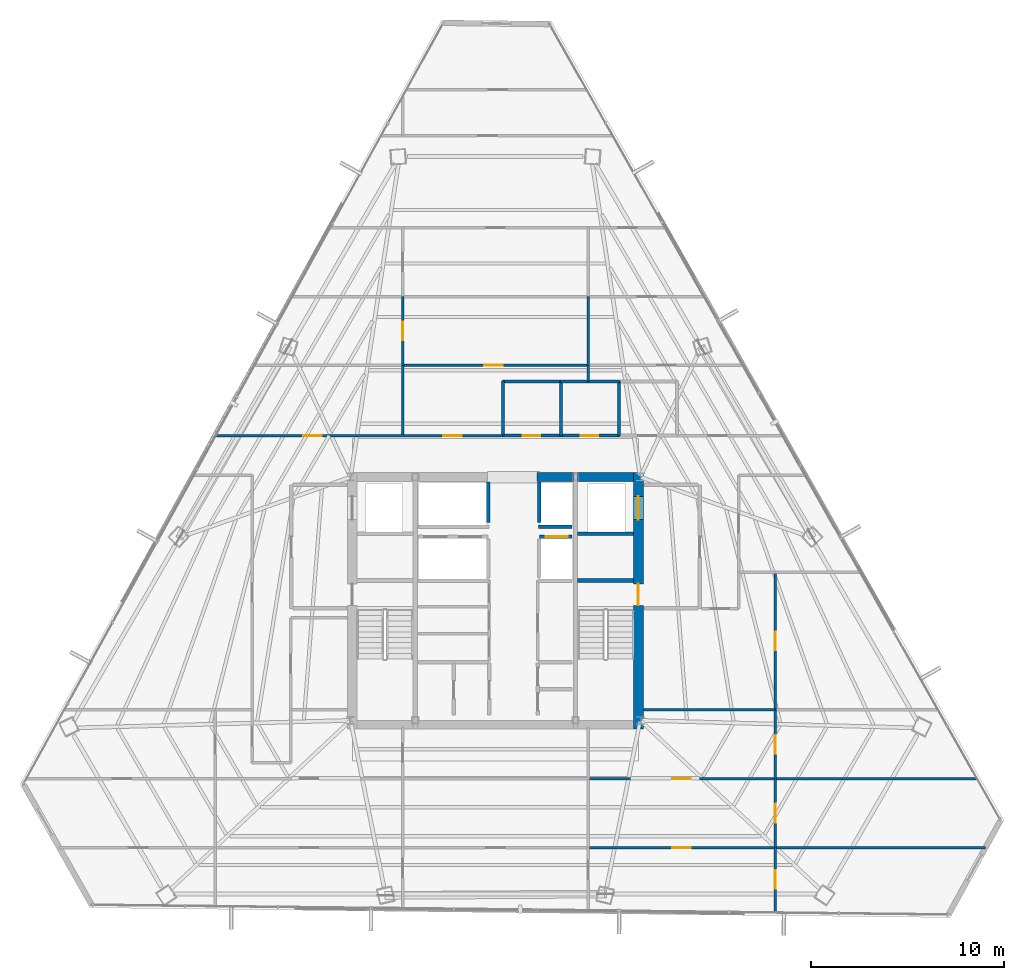
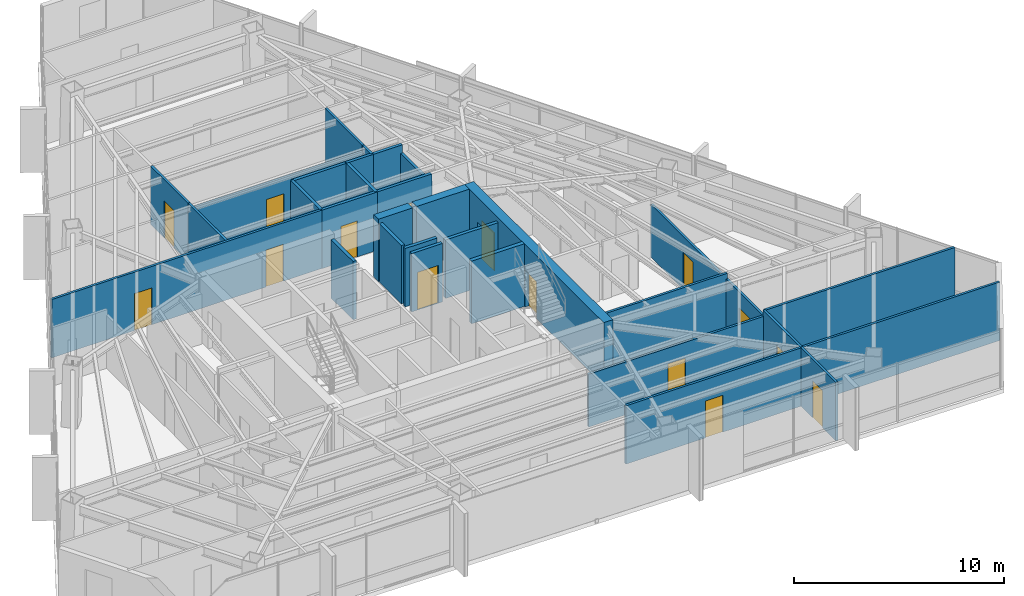
# One storey, part 37 of 42: 32 walls, 15 doors, 15 openings.
"""IFC4 building model written with IfcOpenShell, lengths in metres."""

from ifc_helpers import new_model, si_unit, direction, frame, frame_2d, origin, place, context, subcontext, project, spatial, rectangle, extrude, material, layer, layer_set, type_object, element, fill, save


model = new_model("IFC4")

# Units and contexts
model_context = context("Model", 3, precision=1e-05, world=origin(), true_north=direction((0.0, 1.0)))
body_context = subcontext(model_context, "Body", "Model", "MODEL_VIEW")
ifc_project = project(units=[si_unit("LENGTHUNIT", "METRE"), si_unit("AREAUNIT", "SQUARE_METRE"), si_unit("VOLUMEUNIT", "CUBIC_METRE"), si_unit("PLANEANGLEUNIT", "RADIAN"), si_unit("MASSUNIT", "GRAM", prefix="KILO")], contexts=[model_context])

# Site, building, storey
site_placement = place(None, origin())
site = spatial("IfcSite", under=ifc_project, at=site_placement, CompositionType="ELEMENT")
building_placement = place(site_placement, origin())
building = spatial("IfcBuilding", under=site, at=building_placement, Name="Caelisora Broadcast Tower", CompositionType="ELEMENT")
storey_placement = place(building_placement, frame((0.0, 0.0, 205.949951171875)))
storey = spatial("IfcBuildingStorey", under=building, at=storey_placement, Name="L54", CompositionType="ELEMENT", Elevation=205.949951171875)

# Wall, openings, doors
ifc_material_1 = material(Name="Concrete 50 MPa (AS 3600 S50)", Category="concrete")
ifc_layer_1 = layer(ifc_material_1, 0.5, Name="Concrete 50 MPa (AS 3600 S50)")
ifc_layer_set_1 = layer_set([ifc_layer_1], Name="Concrete 50 MPa (AS 3600 S50)")
wall_type_1 = type_object("IfcWallType", Name="CW2", PredefinedType="SHEAR", material=ifc_layer_set_1)
wall_1_placement = place(storey_placement, frame((45.409912109375, 16.949951171875, 0.0), z_axis=(0.0, 0.0, 1.0), x_axis=(0.0, 1.0, 0.0)))
wall_1 = element("IfcWall", 1, at=wall_1_placement, inside=storey, type_object=wall_type_1, Name="L54 core shear wall CW2", PredefinedType="SHEAR", context=body_context, shape_type="SweptSolid", body=[
    extrude(rectangle(XDim=13.275146484375, YDim=0.5, at=frame_2d((6.6376953125, 0.0))), origin(), (0.0, 0.0, 1.0), 3.650146484375),
])
opening_1_placement = place(wall_1_placement, frame((6.39990234375, 0.0, 0.0)))
opening_1 = element("IfcOpeningElement", 2, at=opening_1_placement, cuts=wall_1, Name="Opening FD04", PredefinedType="OPENING", context=body_context, shape_type="SweptSolid", body=[
    extrude(rectangle(XDim=1.1201171875, YDim=2.14990234375, at=frame_2d((0.56005859375, 1.074951171875))), frame((0.0, 0.261962890625, 0.0), z_axis=(0.0, -1.0, 0.0), x_axis=(1.0, 0.0, 0.0)), (0.0, 0.0, 1.0), 0.52392578125),
])
opening_2_placement = place(wall_1_placement, frame((10.85009765625, 0.0, 0.0)))
opening_2 = element("IfcOpeningElement", 3, at=opening_2_placement, cuts=wall_1, Name="Opening LD04", PredefinedType="OPENING", context=body_context, shape_type="SweptSolid", body=[
    extrude(rectangle(XDim=1.199951171875, YDim=2.199951171875, at=frame_2d((0.60009765625, 1.10009765625))), frame((0.0, 0.261962890625, 0.0), z_axis=(0.0, -1.0, 0.0), x_axis=(1.0, 0.0, 0.0)), (0.0, 0.0, 1.0), 0.52392578125),
])
ifc_material_2 = material(Name="Pressurised Fire-Isolated Stair Door", Category="steel")
door_type_1 = type_object("IfcDoorType", Name="FD04", OperationType="NOTDEFINED", PredefinedType="DOOR", material=ifc_material_2)
door_1_placement = place(opening_1_placement, origin())
door_1 = element("IfcDoor", 4, at=door_1_placement, inside=storey, type_object=door_type_1, Name="L54 door FD04 (L54-DR-ST2)", OperationType="SINGLE_SWING_RIGHT", OverallHeight=2.14990234375, OverallWidth=1.1201171875, PredefinedType="DOOR", context=body_context, shape_type="SweptSolid", body=[
    extrude(rectangle(XDim=1.1201171875, YDim=2.14990234375, at=frame_2d((0.56005859375, 1.074951171875))), frame((0.0, 0.02490234375, 0.0), z_axis=(0.0, -1.0, 0.0), x_axis=(1.0, 0.0, 0.0)), (0.0, 0.0, 1.0), 0.050048828125),
])
fill(opening_1, door_1)
ifc_material_3 = material(Name="Emergency Firefighting Lift Sliding Landing Door", Category="steel")
door_type_2 = type_object("IfcDoorType", Name="LD04", OperationType="NOTDEFINED", PredefinedType="DOOR", material=ifc_material_3)
door_2_placement = place(opening_2_placement, origin())
door_2 = element("IfcDoor", 5, at=door_2_placement, inside=storey, type_object=door_type_2, Name="L54 door LD04 (L54-LD-FFL2)", OperationType="SLIDING_TO_RIGHT", OverallHeight=2.199951171875, OverallWidth=1.199951171875, PredefinedType="DOOR", context=body_context, shape_type="SweptSolid", body=[
    extrude(rectangle(XDim=1.199951171875, YDim=2.199951171875, at=frame_2d((0.60009765625, 1.10009765625))), frame((0.0, 0.02490234375, 0.0), z_axis=(0.0, -1.0, 0.0), x_axis=(1.0, 0.0, 0.0)), (0.0, 0.0, 1.0), 0.050048828125),
])
fill(opening_2, door_2)

# Walls
ifc_layer_2 = layer(ifc_material_1, 0.449951171875, Name="Concrete 50 MPa (AS 3600 S50)")
ifc_layer_set_2 = layer_set([ifc_layer_2], Name="Concrete 50 MPa (AS 3600 S50)")
wall_type_2 = type_object("IfcWallType", Name="CW5", PredefinedType="SHEAR", material=ifc_layer_set_2)
wall_2_placement = place(storey_placement, frame((40.159912109375, 30.0, 0.0), z_axis=(0.0, 0.0, 1.0), x_axis=(1.0, 0.0, 0.0)))
element("IfcWall", 6, at=wall_2_placement, inside=storey, type_object=wall_type_2, Name="L54 core shear wall CW5", PredefinedType="SHEAR", context=body_context, shape_type="SweptSolid", body=[
    extrude(rectangle(XDim=1.880126953125, YDim=0.449951171875, at=frame_2d((0.93994140625, 0.0))), origin(), (0.0, 0.0, 1.0), 3.650146484375),
])
wall_3_placement = place(storey_placement, frame((42.260009765625, 30.0, 0.0), z_axis=(0.0, 0.0, 1.0), x_axis=(1.0, 0.0, 0.0)))
element("IfcWall", 7, at=wall_3_placement, inside=storey, type_object=wall_type_2, Name="L54 core shear wall CW5", PredefinedType="SHEAR", context=body_context, shape_type="SweptSolid", body=[
    extrude(rectangle(XDim=2.89990234375, YDim=0.449951171875, at=frame_2d((1.449951171875, 0.0))), origin(), (0.0, 0.0, 1.0), 3.650146484375),
])
ifc_layer_3 = layer(ifc_material_1, 0.219970703125, Name="Concrete 50 MPa (AS 3600 S50)")
ifc_layer_set_3 = layer_set([ifc_layer_3], Name="Concrete 50 MPa (AS 3600 S50)")
wall_type_3 = type_object("IfcWallType", Name="CW7", PredefinedType="SHEAR", material=ifc_layer_set_3)
wall_4_placement = place(storey_placement, frame((42.260009765625, 24.639892578125, 0.0), z_axis=(0.0, 0.0, 1.0), x_axis=(1.0, 0.0, 0.0)))
element("IfcWall", 8, at=wall_4_placement, inside=storey, type_object=wall_type_3, Name="L54 core shear wall CW7", PredefinedType="SHEAR", context=body_context, shape_type="SweptSolid", body=[
    extrude(rectangle(XDim=2.89990234375, YDim=0.219970703125, at=frame_2d((1.449951171875, 0.0))), origin(), (0.0, 0.0, 1.0), 3.650146484375),
])

# Wall, opening, door
ifc_material_4 = material(Name="Fire-Rated Gypsum Shaft and Compartment Wall", Category="gypsum")
ifc_layer_4 = layer(ifc_material_4, 0.179931640625, Name="Fire-Rated Gypsum Shaft and Compartment Wall")
ifc_layer_set_4 = layer_set([ifc_layer_4], Name="Fire-Rated Gypsum Shaft and Compartment Wall")
wall_type_4 = type_object("IfcWallType", Name="PW2", PredefinedType="PARTITIONING", material=ifc_layer_set_4)
wall_5_placement = place(storey_placement, frame((40.280029296875, 26.89990234375, 0.0), z_axis=(0.0, 0.0, 1.0), x_axis=(1.0, 0.0, 0.0)))
wall_5 = element("IfcWall", 9, at=wall_5_placement, inside=storey, type_object=wall_type_4, Name="L54 fire compartment wall PW2", PredefinedType="PARTITIONING", context=body_context, shape_type="SweptSolid", body=[
    extrude(rectangle(XDim=1.699951171875, YDim=0.179931640625, at=frame_2d((0.85009765625, 0.0))), origin(), (0.0, 0.0, 1.0), 3.400146484375),
])
opening_3_placement = place(wall_5_placement, frame((0.320068359375, 0.0, 0.0)))
opening_3 = element("IfcOpeningElement", 10, at=opening_3_placement, cuts=wall_5, Name="Opening LD02", PredefinedType="OPENING", context=body_context, shape_type="SweptSolid", body=[
    extrude(rectangle(XDim=1.14990234375, YDim=2.199951171875, at=frame_2d((0.574951171875, 1.10009765625))), frame((0.0, 0.10205078125, 0.0), z_axis=(0.0, -1.0, 0.0), x_axis=(1.0, 0.0, 0.0)), (0.0, 0.0, 1.0), 0.203857421875),
])
ifc_material_5 = material(Name="High-Speed Express Lift Sliding Landing Door", Category="steel")
door_type_3 = type_object("IfcDoorType", Name="LD02", OperationType="NOTDEFINED", PredefinedType="DOOR", material=ifc_material_5)
door_3_placement = place(opening_3_placement, origin())
door_3 = element("IfcDoor", 11, at=door_3_placement, inside=storey, type_object=door_type_3, Name="L54 door LD02 (L54-LD-PLM3)", OperationType="SLIDING_TO_LEFT", OverallHeight=2.199951171875, OverallWidth=1.14990234375, PredefinedType="DOOR", context=body_context, shape_type="SweptSolid", body=[
    extrude(rectangle(XDim=1.14990234375, YDim=2.199951171875, at=frame_2d((0.574951171875, 1.10009765625))), frame((0.0, 0.02490234375, 0.0), z_axis=(0.0, -1.0, 0.0), x_axis=(1.0, 0.0, 0.0)), (0.0, 0.0, 1.0), 0.050048828125),
])
fill(opening_3, door_3)

# Walls
wall_6_placement = place(storey_placement, frame((40.219970703125, 27.419921875, 0.0), z_axis=(0.0, 0.0, 1.0), x_axis=(1.0, 0.0, 0.0)))
element("IfcWall", 12, at=wall_6_placement, inside=storey, type_object=wall_type_4, Name="L54 fire compartment wall PW2", PredefinedType="PARTITIONING", context=body_context, shape_type="SweptSolid", body=[
    extrude(rectangle(XDim=1.760009765625, YDim=0.179931640625, at=frame_2d((0.8798828125, 0.0))), origin(), (0.0, 0.0, 1.0), 3.400146484375),
])
for number, where, z_axis, x_axis, name in (
    (13, (37.6201171875, 27.639892578125, 0.0), (0.0, 0.0, 1.0), (0.0, 1.0, 0.0), "L54 fire compartment wall PW2"),
    (14, (40.280029296875, 27.639892578125, 0.0), (0.0, 0.0, 1.0), (0.0, 1.0, 0.0), "L54 fire compartment wall PW2"),
):
    element("IfcWall", number, at=place(storey_placement, frame(where, z_axis=z_axis, x_axis=x_axis)), inside=storey, type_object=wall_type_4, Name=name, PredefinedType="PARTITIONING", context=body_context, shape_type="SweptSolid", body=[
        extrude(rectangle(XDim=2.110107421875, YDim=0.179931640625, at=frame_2d((1.05517578125, 0.0))), origin(), (0.0, 0.0, 1.0), 3.400146484375),
    ])
wall_7_placement = place(storey_placement, frame((42.239990234375, 27.070068359375, 0.0), z_axis=(0.0, 0.0, 1.0), x_axis=(1.0, 0.0, 0.0)))
element("IfcWall", 15, at=wall_7_placement, inside=storey, type_object=wall_type_4, Name="L54 fire compartment wall PW2", PredefinedType="PARTITIONING", context=body_context, shape_type="SweptSolid", body=[
    extrude(rectangle(XDim=2.89990234375, YDim=0.179931640625, at=frame_2d((1.449951171875, 0.0))), origin(), (0.0, 0.0, 1.0), 3.400146484375),
])

# Wall, openings, doors
ifc_material_6 = material(Name="Acoustic Steel-Stud Plasterboard Partition", Category="gypsum")
ifc_layer_5 = layer(ifc_material_6, 0.1298828125, Name="Acoustic Steel-Stud Plasterboard Partition")
ifc_layer_set_5 = layer_set([ifc_layer_5], Name="Acoustic Steel-Stud Plasterboard Partition")
wall_type_5 = type_object("IfcWallType", Name="PW3", PredefinedType="PARTITIONING", material=ifc_layer_set_5)
wall_8_placement = place(storey_placement, frame((23.51025390625, 32.14990234375, 0.0), z_axis=(0.0, 0.0, 1.0), x_axis=(1.0, 0.0, 0.0)))
wall_8 = element("IfcWall", 16, at=wall_8_placement, inside=storey, type_object=wall_type_5, Name="L54 internal partition PW3", PredefinedType="PARTITIONING", context=body_context, shape_type="SweptSolid", body=[
    extrude(rectangle(XDim=14.884765625, YDim=0.1298828125, at=frame_2d((7.4423828125, 0.0))), origin(), (0.0, 0.0, 1.0), 3.400146484375),
])
opening_4_placement = place(wall_8_placement, frame((11.7890625, 0.0, 0.0)))
opening_4 = element("IfcOpeningElement", 17, at=opening_4_placement, cuts=wall_8, Name="Opening D01", PredefinedType="OPENING", context=body_context, shape_type="SweptSolid", body=[
    extrude(rectangle(XDim=0.9599609375, YDim=2.14990234375, at=frame_2d((0.47998046875, 1.074951171875))), frame((0.0, 0.076904296875, 0.0), z_axis=(0.0, -1.0, 0.0), x_axis=(1.0, 0.0, 0.0)), (0.0, 0.0, 1.0), 0.15380859375),
])
opening_5_placement = place(wall_8_placement, frame((4.548095703125, 0.0, 0.0)))
opening_5 = element("IfcOpeningElement", 18, at=opening_5_placement, cuts=wall_8, Name="Opening D01", PredefinedType="OPENING", context=body_context, shape_type="SweptSolid", body=[
    extrude(rectangle(XDim=0.9599609375, YDim=2.14990234375, at=frame_2d((0.47998046875, 1.074951171875))), frame((0.0, 0.076904296875, 0.0), z_axis=(0.0, -1.0, 0.0), x_axis=(1.0, 0.0, 0.0)), (0.0, 0.0, 1.0), 0.15380859375),
])
ifc_material_7 = material(Name="Solid-Core Timber Acoustic Office Door", Category="wood")
door_type_4 = type_object("IfcDoorType", Name="D01", OperationType="NOTDEFINED", PredefinedType="DOOR", material=ifc_material_7)
door_4_placement = place(opening_4_placement, origin())
door_4 = element("IfcDoor", 19, at=door_4_placement, inside=storey, type_object=door_type_4, Name="L54 door D01 (L54-DR-P30D1)", OperationType="SINGLE_SWING_LEFT", OverallHeight=2.14990234375, OverallWidth=0.9599609375, PredefinedType="DOOR", context=body_context, shape_type="SweptSolid", body=[
    extrude(rectangle(XDim=0.9599609375, YDim=2.14990234375, at=frame_2d((0.47998046875, 1.074951171875))), frame((0.0, 0.02490234375, 0.0), z_axis=(0.0, -1.0, 0.0), x_axis=(1.0, 0.0, 0.0)), (0.0, 0.0, 1.0), 0.050048828125),
])
fill(opening_4, door_4)
door_5_placement = place(opening_5_placement, origin())
door_5 = element("IfcDoor", 20, at=door_5_placement, inside=storey, type_object=door_type_4, Name="L54 door D01 (L54-DR-P30D2)", OperationType="SINGLE_SWING_RIGHT", OverallHeight=2.14990234375, OverallWidth=0.9599609375, PredefinedType="DOOR", context=body_context, shape_type="SweptSolid", body=[
    extrude(rectangle(XDim=0.9599609375, YDim=2.14990234375, at=frame_2d((0.47998046875, 1.074951171875))), frame((0.0, 0.02490234375, 0.0), z_axis=(0.0, -1.0, 0.0), x_axis=(1.0, 0.0, 0.0)), (0.0, 0.0, 1.0), 0.050048828125),
])
fill(opening_5, door_5)

# Walls
wall_9_placement = place(storey_placement, frame((52.5048828125, 10.81005859375, 0.0), z_axis=(0.0, 0.0, 1.0), x_axis=(1.0, 0.0, 0.0)))
element("IfcWall", 21, at=wall_9_placement, inside=storey, type_object=wall_type_5, Name="L54 internal partition PW3", PredefinedType="PARTITIONING", context=body_context, shape_type="SweptSolid", body=[
    extrude(rectangle(XDim=10.885498046875, YDim=0.1298828125, at=frame_2d((5.44287109375, 0.0))), origin(), (0.0, 0.0, 1.0), 3.400146484375),
])
wall_10_placement = place(storey_placement, frame((52.5048828125, 14.3701171875, 0.0), z_axis=(0.0, 0.0, 1.0), x_axis=(1.0, 0.0, 0.0)))
element("IfcWall", 22, at=wall_10_placement, inside=storey, type_object=wall_type_5, Name="L54 internal partition PW3", PredefinedType="PARTITIONING", context=body_context, shape_type="SweptSolid", body=[
    extrude(rectangle(XDim=10.454345703125, YDim=0.1298828125, at=frame_2d((5.22705078125, 0.0))), origin(), (0.0, 0.0, 1.0), 3.400146484375),
])

# Wall, opening, door
wall_11_placement = place(storey_placement, frame((42.804931640625, 10.81005859375, 0.0), z_axis=(0.0, 0.0, 1.0), x_axis=(1.0, 0.0, 0.0)))
wall_11 = element("IfcWall", 23, at=wall_11_placement, inside=storey, type_object=wall_type_5, Name="L54 internal partition PW3", PredefinedType="PARTITIONING", context=body_context, shape_type="SweptSolid", body=[
    extrude(rectangle(XDim=9.690185546875, YDim=0.1298828125, at=frame_2d((4.84521484375, 0.0))), origin(), (0.0, 0.0, 1.0), 3.400146484375),
])
opening_6_placement = place(wall_11_placement, frame((4.364990234375, 0.0, 0.0)))
opening_6 = element("IfcOpeningElement", 24, at=opening_6_placement, cuts=wall_11, Name="Opening D01", PredefinedType="OPENING", context=body_context, shape_type="SweptSolid", body=[
    extrude(rectangle(XDim=0.9599609375, YDim=2.14990234375, at=frame_2d((0.47998046875, 1.074951171875))), frame((0.0, 0.076904296875, 0.0), z_axis=(0.0, -1.0, 0.0), x_axis=(1.0, 0.0, 0.0)), (0.0, 0.0, 1.0), 0.15380859375),
])
door_6_placement = place(opening_6_placement, origin())
door_6 = element("IfcDoor", 25, at=door_6_placement, inside=storey, type_object=door_type_4, Name="L54 door D01 (L54-DR-P39D1)", OperationType="SINGLE_SWING_RIGHT", OverallHeight=2.14990234375, OverallWidth=0.9599609375, PredefinedType="DOOR", context=body_context, shape_type="SweptSolid", body=[
    extrude(rectangle(XDim=0.9599609375, YDim=2.14990234375, at=frame_2d((0.47998046875, 1.074951171875))), frame((0.0, 0.02490234375, 0.0), z_axis=(0.0, -1.0, 0.0), x_axis=(1.0, 0.0, 0.0)), (0.0, 0.0, 1.0), 0.050048828125),
])
fill(opening_6, door_6)

wall_12_placement = place(storey_placement, frame((42.804931640625, 14.3701171875, 0.0), z_axis=(0.0, 0.0, 1.0), x_axis=(1.0, 0.0, 0.0)))
wall_12 = element("IfcWall", 26, at=wall_12_placement, inside=storey, type_object=wall_type_5, Name="L54 internal partition PW3", PredefinedType="PARTITIONING", context=body_context, shape_type="SweptSolid", body=[
    extrude(rectangle(XDim=9.690185546875, YDim=0.1298828125, at=frame_2d((4.84521484375, 0.0))), origin(), (0.0, 0.0, 1.0), 3.077880859375),
])
opening_7_placement = place(wall_12_placement, frame((4.364990234375, 0.0, 0.0)))
opening_7 = element("IfcOpeningElement", 27, at=opening_7_placement, cuts=wall_12, Name="Opening D01", PredefinedType="OPENING", context=body_context, shape_type="SweptSolid", body=[
    extrude(rectangle(XDim=0.9599609375, YDim=2.14990234375, at=frame_2d((0.47998046875, 1.074951171875))), frame((0.0, 0.076904296875, 0.0), z_axis=(0.0, -1.0, 0.0), x_axis=(1.0, 0.0, 0.0)), (0.0, 0.0, 1.0), 0.15380859375),
])
door_7_placement = place(opening_7_placement, origin())
door_7 = element("IfcDoor", 28, at=door_7_placement, inside=storey, type_object=door_type_4, Name="L54 door D01 (L54-DR-P40D1)", OperationType="SINGLE_SWING_LEFT", OverallHeight=2.14990234375, OverallWidth=0.9599609375, PredefinedType="DOOR", context=body_context, shape_type="SweptSolid", body=[
    extrude(rectangle(XDim=0.9599609375, YDim=2.14990234375, at=frame_2d((0.47998046875, 1.074951171875))), frame((0.0, 0.02490234375, 0.0), z_axis=(0.0, -1.0, 0.0), x_axis=(1.0, 0.0, 0.0)), (0.0, 0.0, 1.0), 0.050048828125),
])
fill(opening_7, door_7)

wall_13_placement = place(storey_placement, frame((33.205078125, 35.780029296875, 0.0), z_axis=(0.0, 0.0, 1.0), x_axis=(1.0, 0.0, 0.0)))
wall_13 = element("IfcWall", 29, at=wall_13_placement, inside=storey, type_object=wall_type_5, Name="L54 internal partition PW3", PredefinedType="PARTITIONING", context=body_context, shape_type="SweptSolid", body=[
    extrude(rectangle(XDim=9.58984375, YDim=0.1298828125, at=frame_2d((4.794921875, 0.0))), origin(), (0.0, 0.0, 1.0), 3.077880859375),
])
opening_8_placement = place(wall_13_placement, frame((4.219970703125, 0.0, 0.0)))
opening_8 = element("IfcOpeningElement", 30, at=opening_8_placement, cuts=wall_13, Name="Opening D01", PredefinedType="OPENING", context=body_context, shape_type="SweptSolid", body=[
    extrude(rectangle(XDim=0.9599609375, YDim=2.14990234375, at=frame_2d((0.47998046875, 1.074951171875))), frame((0.0, 0.076904296875, 0.0), z_axis=(0.0, -1.0, 0.0), x_axis=(1.0, 0.0, 0.0)), (0.0, 0.0, 1.0), 0.15380859375),
])
door_8_placement = place(opening_8_placement, origin())
door_8 = element("IfcDoor", 31, at=door_8_placement, inside=storey, type_object=door_type_4, Name="L54 door D01 (L54-DR-P45D1)", OperationType="SINGLE_SWING_RIGHT", OverallHeight=2.14990234375, OverallWidth=0.9599609375, PredefinedType="DOOR", context=body_context, shape_type="SweptSolid", body=[
    extrude(rectangle(XDim=0.9599609375, YDim=2.14990234375, at=frame_2d((0.47998046875, 1.074951171875))), frame((0.0, 0.02490234375, 0.0), z_axis=(0.0, -1.0, 0.0), x_axis=(1.0, 0.0, 0.0)), (0.0, 0.0, 1.0), 0.050048828125),
])
fill(opening_8, door_8)

wall_14_placement = place(storey_placement, frame((52.5, 17.945068359375, 0.0), z_axis=(0.0, 0.0, 1.0), x_axis=(0.0, 1.0, 0.0)))
wall_14 = element("IfcWall", 32, at=wall_14_placement, inside=storey, type_object=wall_type_5, Name="L54 internal partition PW3", PredefinedType="PARTITIONING", context=body_context, shape_type="SweptSolid", body=[
    extrude(rectangle(XDim=7.1298828125, YDim=0.1298828125, at=frame_2d((3.56494140625, 0.0))), origin(), (0.0, 0.0, 1.0), 3.077880859375),
])
opening_9_placement = place(wall_14_placement, frame((3.0849609375, 0.0, 0.0)))
opening_9 = element("IfcOpeningElement", 33, at=opening_9_placement, cuts=wall_14, Name="Opening D01", PredefinedType="OPENING", context=body_context, shape_type="SweptSolid", body=[
    extrude(rectangle(XDim=0.9599609375, YDim=2.14990234375, at=frame_2d((0.47998046875, 1.074951171875))), frame((0.0, 0.076904296875, 0.0), z_axis=(0.0, -1.0, 0.0), x_axis=(1.0, 0.0, 0.0)), (0.0, 0.0, 1.0), 0.15380859375),
])
door_9_placement = place(opening_9_placement, origin())
door_9 = element("IfcDoor", 34, at=door_9_placement, inside=storey, type_object=door_type_4, Name="L54 door D01 (L54-DR-P53D1)", OperationType="SINGLE_SWING_RIGHT", OverallHeight=2.14990234375, OverallWidth=0.9599609375, PredefinedType="DOOR", context=body_context, shape_type="SweptSolid", body=[
    extrude(rectangle(XDim=0.9599609375, YDim=2.14990234375, at=frame_2d((0.47998046875, 1.074951171875))), frame((0.0, 0.02490234375, 0.0), z_axis=(0.0, -1.0, 0.0), x_axis=(1.0, 0.0, 0.0)), (0.0, 0.0, 1.0), 0.050048828125),
])
fill(opening_9, door_9)

# Wall
wall_15_placement = place(storey_placement, frame((45.675048828125, 17.93994140625, 0.0), z_axis=(0.0, 0.0, 1.0), x_axis=(1.0, 0.0, 0.0)))
element("IfcWall", 35, at=wall_15_placement, inside=storey, type_object=wall_type_5, Name="L54 internal partition PW3", PredefinedType="PARTITIONING", context=body_context, shape_type="SweptSolid", body=[
    extrude(rectangle(XDim=6.820068359375, YDim=0.1298828125, at=frame_2d((3.41015625, 0.0))), origin(), (0.0, 0.0, 1.0), 3.400146484375),
])

# Wall, opening, door
wall_16_placement = place(storey_placement, frame((52.5, 14.375, 0.0), z_axis=(0.0, 0.0, 1.0), x_axis=(0.0, 1.0, 0.0)))
wall_16 = element("IfcWall", 36, at=wall_16_placement, inside=storey, type_object=wall_type_5, Name="L54 internal partition PW3", PredefinedType="PARTITIONING", context=body_context, shape_type="SweptSolid", body=[
    extrude(rectangle(XDim=3.56005859375, YDim=0.1298828125, at=frame_2d((1.780029296875, 0.0))), origin(), (0.0, 0.0, 1.0), 3.077880859375),
])
opening_10_placement = place(wall_16_placement, frame((1.300048828125, 0.0, 0.0)))
opening_10 = element("IfcOpeningElement", 37, at=opening_10_placement, cuts=wall_16, Name="Opening D01", PredefinedType="OPENING", context=body_context, shape_type="SweptSolid", body=[
    extrude(rectangle(XDim=0.9599609375, YDim=2.14990234375, at=frame_2d((0.47998046875, 1.074951171875))), frame((0.0, 0.076904296875, 0.0), z_axis=(0.0, -1.0, 0.0), x_axis=(1.0, 0.0, 0.0)), (0.0, 0.0, 1.0), 0.15380859375),
])
door_10_placement = place(opening_10_placement, origin())
door_10 = element("IfcDoor", 38, at=door_10_placement, inside=storey, type_object=door_type_4, Name="L54 door D01 (L54-DR-P64D1)", OperationType="SINGLE_SWING_LEFT", OverallHeight=2.14990234375, OverallWidth=0.9599609375, PredefinedType="DOOR", context=body_context, shape_type="SweptSolid", body=[
    extrude(rectangle(XDim=0.9599609375, YDim=2.14990234375, at=frame_2d((0.47998046875, 1.074951171875))), frame((0.0, 0.02490234375, 0.0), z_axis=(0.0, -1.0, 0.0), x_axis=(1.0, 0.0, 0.0)), (0.0, 0.0, 1.0), 0.050048828125),
])
fill(opening_10, door_10)

# Wall
wall_17_placement = place(storey_placement, frame((42.800048828125, 35.784912109375, 0.0), z_axis=(0.0, 0.0, 1.0), x_axis=(0.0, 1.0, 0.0)))
element("IfcWall", 39, at=wall_17_placement, inside=storey, type_object=wall_type_5, Name="L54 internal partition PW3", PredefinedType="PARTITIONING", context=body_context, shape_type="SweptSolid", body=[
    extrude(rectangle(XDim=3.56005859375, YDim=0.1298828125, at=frame_2d((1.780029296875, 0.0))), origin(), (0.0, 0.0, 1.0), 3.400146484375),
])

# Wall, opening, door
wall_18_placement = place(storey_placement, frame((33.199951171875, 35.784912109375, 0.0), z_axis=(0.0, 0.0, 1.0), x_axis=(0.0, 1.0, 0.0)))
wall_18 = element("IfcWall", 40, at=wall_18_placement, inside=storey, type_object=wall_type_5, Name="L54 internal partition PW3", PredefinedType="PARTITIONING", context=body_context, shape_type="SweptSolid", body=[
    extrude(rectangle(XDim=3.56005859375, YDim=0.1298828125, at=frame_2d((1.780029296875, 0.0))), origin(), (0.0, 0.0, 1.0), 3.400146484375),
])
opening_11_placement = place(wall_18_placement, frame((1.300048828125, 0.0, 0.0)))
opening_11 = element("IfcOpeningElement", 41, at=opening_11_placement, cuts=wall_18, Name="Opening D01", PredefinedType="OPENING", context=body_context, shape_type="SweptSolid", body=[
    extrude(rectangle(XDim=0.9599609375, YDim=2.14990234375, at=frame_2d((0.47998046875, 1.074951171875))), frame((0.0, 0.076904296875, 0.0), z_axis=(0.0, -1.0, 0.0), x_axis=(1.0, 0.0, 0.0)), (0.0, 0.0, 1.0), 0.15380859375),
])
door_11_placement = place(opening_11_placement, origin())
door_11 = element("IfcDoor", 42, at=door_11_placement, inside=storey, type_object=door_type_4, Name="L54 door D01 (L54-DR-P67D1)", OperationType="SINGLE_SWING_RIGHT", OverallHeight=2.14990234375, OverallWidth=0.9599609375, PredefinedType="DOOR", context=body_context, shape_type="SweptSolid", body=[
    extrude(rectangle(XDim=0.9599609375, YDim=2.14990234375, at=frame_2d((0.47998046875, 1.074951171875))), frame((0.0, 0.02490234375, 0.0), z_axis=(0.0, -1.0, 0.0), x_axis=(1.0, 0.0, 0.0)), (0.0, 0.0, 1.0), 0.050048828125),
])
fill(opening_11, door_11)

# Wall
wall_19_placement = place(storey_placement, frame((33.199951171875, 32.215087890625, 0.0), z_axis=(0.0, 0.0, 1.0), x_axis=(0.0, 1.0, 0.0)))
element("IfcWall", 43, at=wall_19_placement, inside=storey, type_object=wall_type_5, Name="L54 internal partition PW3", PredefinedType="PARTITIONING", context=body_context, shape_type="SweptSolid", body=[
    extrude(rectangle(XDim=3.559814453125, YDim=0.1298828125, at=frame_2d((1.77978515625, 0.0))), origin(), (0.0, 0.0, 1.0), 3.400146484375),
])

# Wall, opening, door
wall_20_placement = place(storey_placement, frame((52.5, 10.81494140625, 0.0), z_axis=(0.0, 0.0, 1.0), x_axis=(0.0, 1.0, 0.0)))
wall_20 = element("IfcWall", 44, at=wall_20_placement, inside=storey, type_object=wall_type_5, Name="L54 internal partition PW3", PredefinedType="PARTITIONING", context=body_context, shape_type="SweptSolid", body=[
    extrude(rectangle(XDim=3.550048828125, YDim=0.1298828125, at=frame_2d((1.77490234375, 0.0))), origin(), (0.0, 0.0, 1.0), 3.400146484375),
])
opening_12_placement = place(wall_20_placement, frame((1.294921875, 0.0, 0.0)))
opening_12 = element("IfcOpeningElement", 45, at=opening_12_placement, cuts=wall_20, Name="Opening D01", PredefinedType="OPENING", context=body_context, shape_type="SweptSolid", body=[
    extrude(rectangle(XDim=0.9599609375, YDim=2.14990234375, at=frame_2d((0.47998046875, 1.074951171875))), frame((0.0, 0.076904296875, 0.0), z_axis=(0.0, -1.0, 0.0), x_axis=(1.0, 0.0, 0.0)), (0.0, 0.0, 1.0), 0.15380859375),
])
door_12_placement = place(opening_12_placement, origin())
door_12 = element("IfcDoor", 46, at=door_12_placement, inside=storey, type_object=door_type_4, Name="L54 door D01 (L54-DR-P73D1)", OperationType="SINGLE_SWING_RIGHT", OverallHeight=2.14990234375, OverallWidth=0.9599609375, PredefinedType="DOOR", context=body_context, shape_type="SweptSolid", body=[
    extrude(rectangle(XDim=0.9599609375, YDim=2.14990234375, at=frame_2d((0.47998046875, 1.074951171875))), frame((0.0, 0.02490234375, 0.0), z_axis=(0.0, -1.0, 0.0), x_axis=(1.0, 0.0, 0.0)), (0.0, 0.0, 1.0), 0.050048828125),
])
fill(opening_12, door_12)

wall_21_placement = place(storey_placement, frame((52.5, 7.43505859375, 0.0), z_axis=(0.0, 0.0, 1.0), x_axis=(0.0, 1.0, 0.0)))
wall_21 = element("IfcWall", 47, at=wall_21_placement, inside=storey, type_object=wall_type_5, Name="L54 internal partition PW3", PredefinedType="PARTITIONING", context=body_context, shape_type="SweptSolid", body=[
    extrude(rectangle(XDim=3.369873046875, YDim=0.1298828125, at=frame_2d((1.68505859375, 0.0))), origin(), (0.0, 0.0, 1.0), 3.400146484375),
])
opening_13_placement = place(wall_21_placement, frame((1.251953125, 0.0, 0.0)))
opening_13 = element("IfcOpeningElement", 48, at=opening_13_placement, cuts=wall_21, Name="Opening D01", PredefinedType="OPENING", context=body_context, shape_type="SweptSolid", body=[
    extrude(rectangle(XDim=0.9599609375, YDim=2.14990234375, at=frame_2d((0.47998046875, 1.074951171875))), frame((0.0, 0.076904296875, 0.0), z_axis=(0.0, -1.0, 0.0), x_axis=(1.0, 0.0, 0.0)), (0.0, 0.0, 1.0), 0.15380859375),
])
door_13_placement = place(opening_13_placement, origin())
door_13 = element("IfcDoor", 49, at=door_13_placement, inside=storey, type_object=door_type_4, Name="L54 door D01 (L54-DR-P75D1)", OperationType="SINGLE_SWING_LEFT", OverallHeight=2.14990234375, OverallWidth=0.9599609375, PredefinedType="DOOR", context=body_context, shape_type="SweptSolid", body=[
    extrude(rectangle(XDim=0.9599609375, YDim=2.14990234375, at=frame_2d((0.47998046875, 1.074951171875))), frame((0.0, 0.02490234375, 0.0), z_axis=(0.0, -1.0, 0.0), x_axis=(1.0, 0.0, 0.0)), (0.0, 0.0, 1.0), 0.050048828125),
])
fill(opening_13, door_13)

# Wall
wall_22_placement = place(storey_placement, frame((42.800048828125, 34.955078125, 0.0), z_axis=(0.0, 0.0, 1.0), x_axis=(0.0, 1.0, 0.0)))
element("IfcWall", 50, at=wall_22_placement, inside=storey, type_object=wall_type_5, Name="L54 internal partition PW3", PredefinedType="PARTITIONING", context=body_context, shape_type="SweptSolid", body=[
    extrude(rectangle(XDim=0.81982421875, YDim=0.1298828125, at=frame_2d((0.409912109375, 0.0))), origin(), (0.0, 0.0, 1.0), 3.400146484375),
])

# Wall, opening, door
ifc_material_8 = material(Name="Moisture-Resistant Wet Plumbing Service Wall", Category="gypsum")
ifc_layer_6 = layer(ifc_material_8, 0.159912109375, Name="Moisture-Resistant Wet Plumbing Service Wall")
ifc_layer_set_6 = layer_set([ifc_layer_6], Name="Moisture-Resistant Wet Plumbing Service Wall")
wall_type_6 = type_object("IfcWallType", Name="PW4", PredefinedType="PLUMBINGWALL", material=ifc_layer_set_6)
wall_23_placement = place(storey_placement, frame((38.375, 32.14990234375, 0.0), z_axis=(0.0, 0.0, 1.0), x_axis=(1.0, 0.0, 0.0)))
wall_23 = element("IfcWall", 51, at=wall_23_placement, inside=storey, type_object=wall_type_6, Name="L54 wet plumbing wall PW4", PredefinedType="PLUMBINGWALL", context=body_context, shape_type="SweptSolid", body=[
    extrude(rectangle(XDim=3.050048828125, YDim=0.159912109375, at=frame_2d((1.52490234375, 0.0))), origin(), (0.0, 0.0, 1.0), 3.400146484375),
])
opening_14_placement = place(wall_23_placement, frame((1.034912109375, 0.0, 0.0)))
opening_14 = element("IfcOpeningElement", 52, at=opening_14_placement, cuts=wall_23, Name="Opening D03", PredefinedType="OPENING", context=body_context, shape_type="SweptSolid", body=[
    extrude(rectangle(XDim=0.919921875, YDim=2.10009765625, at=frame_2d((0.4599609375, 1.050048828125))), frame((0.0, 0.092041015625, 0.0), z_axis=(0.0, -1.0, 0.0), x_axis=(1.0, 0.0, 0.0)), (0.0, 0.0, 1.0), 0.183837890625),
])
ifc_material_9 = material(Name="Laminate Moisture-Resistant Amenity WC Door", Category="wood")
door_type_5 = type_object("IfcDoorType", Name="D03", OperationType="NOTDEFINED", PredefinedType="DOOR", material=ifc_material_9)
door_14_placement = place(opening_14_placement, origin())
door_14 = element("IfcDoor", 53, at=door_14_placement, inside=storey, type_object=door_type_5, Name="L54 door D03 (L54-DR-P19D1)", OperationType="SINGLE_SWING_RIGHT", OverallHeight=2.10009765625, OverallWidth=0.919921875, PredefinedType="DOOR", context=body_context, shape_type="SweptSolid", body=[
    extrude(rectangle(XDim=0.919921875, YDim=2.10009765625, at=frame_2d((0.4599609375, 1.050048828125))), frame((0.0, 0.02490234375, 0.0), z_axis=(0.0, -1.0, 0.0), x_axis=(1.0, 0.0, 0.0)), (0.0, 0.0, 1.0), 0.050048828125),
])
fill(opening_14, door_14)

wall_24_placement = place(storey_placement, frame((41.375, 32.14990234375, 0.0), z_axis=(0.0, 0.0, 1.0), x_axis=(1.0, 0.0, 0.0)))
wall_24 = element("IfcWall", 54, at=wall_24_placement, inside=storey, type_object=wall_type_6, Name="L54 wet plumbing wall PW4", PredefinedType="PLUMBINGWALL", context=body_context, shape_type="SweptSolid", body=[
    extrude(rectangle(XDim=3.050048828125, YDim=0.159912109375, at=frame_2d((1.52490234375, 0.0))), origin(), (0.0, 0.0, 1.0), 3.400146484375),
])
opening_15_placement = place(wall_24_placement, frame((1.034912109375, 0.0, 0.0)))
opening_15 = element("IfcOpeningElement", 55, at=opening_15_placement, cuts=wall_24, Name="Opening D03", PredefinedType="OPENING", context=body_context, shape_type="SweptSolid", body=[
    extrude(rectangle(XDim=0.919921875, YDim=2.10009765625, at=frame_2d((0.4599609375, 1.050048828125))), frame((0.0, 0.092041015625, 0.0), z_axis=(0.0, -1.0, 0.0), x_axis=(1.0, 0.0, 0.0)), (0.0, 0.0, 1.0), 0.183837890625),
])
door_15_placement = place(opening_15_placement, origin())
door_15 = element("IfcDoor", 56, at=door_15_placement, inside=storey, type_object=door_type_5, Name="L54 door D03 (L54-DR-P20D1)", OperationType="SINGLE_SWING_LEFT", OverallHeight=2.10009765625, OverallWidth=0.919921875, PredefinedType="DOOR", context=body_context, shape_type="SweptSolid", body=[
    extrude(rectangle(XDim=0.919921875, YDim=2.10009765625, at=frame_2d((0.4599609375, 1.050048828125))), frame((0.0, 0.02490234375, 0.0), z_axis=(0.0, -1.0, 0.0), x_axis=(1.0, 0.0, 0.0)), (0.0, 0.0, 1.0), 0.050048828125),
])
fill(opening_15, door_15)

# Walls
wall_25_placement = place(storey_placement, frame((38.375, 34.949951171875, 0.0), z_axis=(0.0, 0.0, 1.0), x_axis=(1.0, 0.0, 0.0)))
element("IfcWall", 57, at=wall_25_placement, inside=storey, type_object=wall_type_6, Name="L54 wet plumbing wall PW4", PredefinedType="PLUMBINGWALL", context=body_context, shape_type="SweptSolid", body=[
    extrude(rectangle(XDim=3.050048828125, YDim=0.159912109375, at=frame_2d((1.52490234375, 0.0))), origin(), (0.0, 0.0, 1.0), 3.400146484375),
])
wall_26_placement = place(storey_placement, frame((41.39990234375, 32.125, 0.0), z_axis=(0.0, 0.0, 1.0), x_axis=(0.0, 1.0, 0.0)))
element("IfcWall", 58, at=wall_26_placement, inside=storey, type_object=wall_type_6, Name="L54 wet plumbing wall PW4", PredefinedType="PLUMBINGWALL", context=body_context, shape_type="SweptSolid", body=[
    extrude(rectangle(XDim=2.85009765625, YDim=0.159912109375, at=frame_2d((1.425048828125, 0.0))), origin(), (0.0, 0.0, 1.0), 3.400146484375),
])
wall_27_placement = place(storey_placement, frame((44.39990234375, 32.125, 0.0), z_axis=(0.0, 0.0, 1.0), x_axis=(0.0, 1.0, 0.0)))
element("IfcWall", 59, at=wall_27_placement, inside=storey, type_object=wall_type_6, Name="L54 wet plumbing wall PW4", PredefinedType="PLUMBINGWALL", context=body_context, shape_type="SweptSolid", body=[
    extrude(rectangle(XDim=2.85009765625, YDim=0.159912109375, at=frame_2d((1.425048828125, 0.0))), origin(), (0.0, 0.0, 1.0), 2.924560546875),
])
wall_28_placement = place(storey_placement, frame((38.39990234375, 32.18505859375, 0.0), z_axis=(0.0, 0.0, 1.0), x_axis=(0.0, 1.0, 0.0)))
element("IfcWall", 60, at=wall_28_placement, inside=storey, type_object=wall_type_6, Name="L54 wet plumbing wall PW4", PredefinedType="PLUMBINGWALL", context=body_context, shape_type="SweptSolid", body=[
    extrude(rectangle(XDim=2.7900390625, YDim=0.159912109375, at=frame_2d((1.39501953125, 0.0))), origin(), (0.0, 0.0, 1.0), 3.400146484375),
])
wall_29_placement = place(storey_placement, frame((42.77490234375, 34.949951171875, 0.0), z_axis=(0.0, 0.0, 1.0), x_axis=(1.0, 0.0, 0.0)))
element("IfcWall", 61, at=wall_29_placement, inside=storey, type_object=wall_type_6, Name="L54 wet plumbing wall PW4", PredefinedType="PLUMBINGWALL", context=body_context, shape_type="SweptSolid", body=[
    extrude(rectangle(XDim=1.650146484375, YDim=0.159912109375, at=frame_2d((0.8251953125, 0.0))), origin(), (0.0, 0.0, 1.0), 3.400146484375),
])
wall_30_placement = place(storey_placement, frame((41.375, 34.949951171875, 0.0), z_axis=(0.0, 0.0, 1.0), x_axis=(1.0, 0.0, 0.0)))
element("IfcWall", 62, at=wall_30_placement, inside=storey, type_object=wall_type_6, Name="L54 wet plumbing wall PW4", PredefinedType="PLUMBINGWALL", context=body_context, shape_type="SweptSolid", body=[
    extrude(rectangle(XDim=1.449951171875, YDim=0.159912109375, at=frame_2d((0.72509765625, 0.0))), origin(), (0.0, 0.0, 1.0), 3.400146484375),
])

save(model, "model.ifc")
